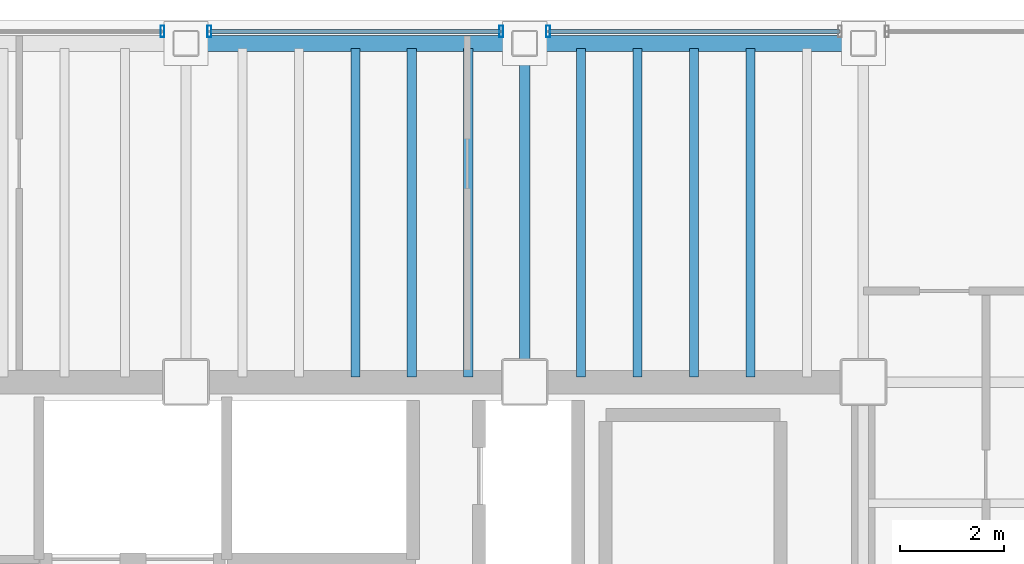
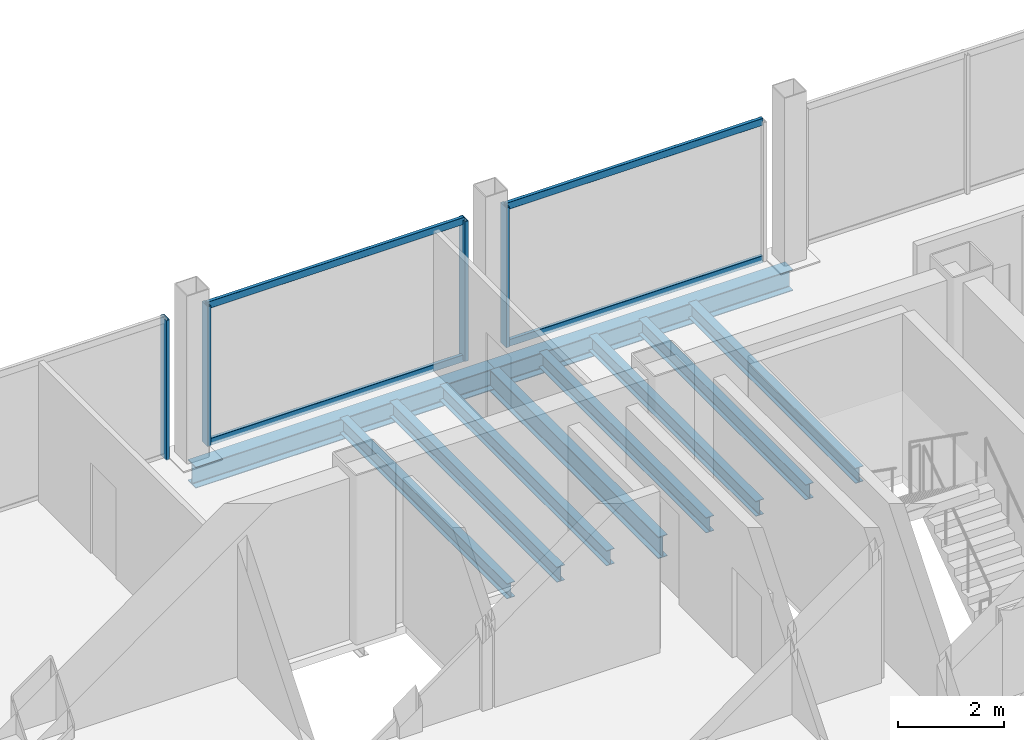
# One storey, part 9 of 16: 10 beams, 8 members, 3 elements without a shape of their own.
"""IFC4 building model written with IfcOpenShell, lengths in metres."""

from ifc_helpers import new_model, si_unit, direction, frame, origin, origin_2d, place, context, subcontext, project, spatial, hollow_rectangle, i_section, extrude, material, material_profile, profile_set, type_object, element, aggregate, save


model = new_model("IFC4")

# Units and contexts
model_context = context("Model", 3, precision=1e-05, world=origin(), true_north=direction((0.0, 1.0)))
body_context = subcontext(model_context, "Body", "Model", "MODEL_VIEW")
ifc_project = project(units=[si_unit("LENGTHUNIT", "METRE"), si_unit("AREAUNIT", "SQUARE_METRE"), si_unit("VOLUMEUNIT", "CUBIC_METRE"), si_unit("PLANEANGLEUNIT", "RADIAN"), si_unit("MASSUNIT", "GRAM", prefix="KILO")], contexts=[model_context])

# Site, building, storey
site_placement = place(None, origin())
site = spatial("IfcSite", under=ifc_project, at=site_placement, CompositionType="ELEMENT")
building_placement = place(site_placement, origin())
building = spatial("IfcBuilding", under=site, at=building_placement, Name="Noeulbin Bourse Tower", CompositionType="ELEMENT")
storey_placement = place(building_placement, frame((0.0, 0.0, 185.10009765625)))
storey = spatial("IfcBuildingStorey", under=building, at=storey_placement, Name="L46", CompositionType="ELEMENT", Elevation=185.10009765625)

# Beams
ifc_material_1 = material(Name="Steel S355", Category="steel")
ifc_material_profile_1 = material_profile(ifc_material_1, i_section(OverallWidth=0.199951171875, OverallDepth=0.5, WebThickness=0.010009765625, FlangeThickness=0.01611328125, FilletRadius=0.02001953125, at=origin_2d()), Name="H-500x200x10x16", Category="LoadBearing")
ifc_profile_set_1 = profile_set([ifc_material_profile_1], Name="Steel S355")
beam_type_1 = type_object("IfcBeamType", Name="BM-GRD-500", PredefinedType="USERDEFINED", material=ifc_profile_set_1)
beam_placement = place(storey_placement, frame((37.5, 38.300048828125, -0.43017578125), z_axis=(0.0, 1.0, 0.0), x_axis=(-1.0, 0.0, 0.0)))
element("IfcBeam", 1, at=beam_placement, inside=storey, type_object=beam_type_1, Name="Tower Primary Girder NS L46-4.4", ObjectType="GIRDER", PredefinedType="USERDEFINED", context=body_context, shape_type="SweptSolid", body=[
    extrude(i_section(OverallWidth=0.199951171875, OverallDepth=0.5, WebThickness=0.010009765625, FlangeThickness=0.01611328125, FilletRadius=0.02001953125, at=origin_2d()), origin(), (0.0, 0.0, 1.0), 6.5),
])
ifc_material_profile_2 = material_profile(ifc_material_1, i_section(OverallWidth=0.175048828125, OverallDepth=0.35009765625, WebThickness=0.007080078125, FlangeThickness=0.010986328125, FilletRadius=0.013916015625, at=origin_2d()), Name="H-350x175x7x11", Category="LoadBearing")
ifc_profile_set_2 = profile_set([ifc_material_profile_2], Name="Steel S355")
beam_type_2 = type_object("IfcBeamType", Name="BM-JST-350", PredefinedType="JOIST", material=ifc_profile_set_2)
for number, where, z_axis, x_axis, name in (
    (2, (34.25, 38.39990234375, -0.35498046875), (0.0, 1.0, 0.0), (-1.0, 0.0, 0.0), "Tower Composite Joist L46-45"),
    (3, (35.333251953125, 38.39990234375, -0.35498046875), (0.0, 1.0, 0.0), (-1.0, 0.0, 0.0), "Tower Composite Joist L46-48"),
    (4, (36.416748046875, 38.39990234375, -0.35498046875), (0.0, 1.0, 0.0), (-1.0, 0.0, 0.0), "Tower Composite Joist L46-51"),
    (5, (38.583251953125, 38.39990234375, -0.35498046875), (0.0, 1.0, 0.0), (-1.0, 0.0, 0.0), "Tower Composite Joist L46-54"),
    (6, (39.666748046875, 38.39990234375, -0.35498046875), (0.0, 1.0, 0.0), (-1.0, 0.0, 0.0), "Tower Composite Joist L46-57"),
    (7, (40.75, 38.39990234375, -0.35498046875), (0.0, 1.0, 0.0), (-1.0, 0.0, 0.0), "Tower Composite Joist L46-60"),
    (8, (41.833251953125, 38.39990234375, -0.35498046875), (0.0, 1.0, 0.0), (-1.0, 0.0, 0.0), "Tower Composite Joist L46-63"),
):
    element("IfcBeam", number, at=place(storey_placement, frame(where, z_axis=z_axis, x_axis=x_axis)), inside=storey, type_object=beam_type_2, Name=name, PredefinedType="JOIST", context=body_context, shape_type="SweptSolid", body=[
        extrude(i_section(OverallWidth=0.175048828125, OverallDepth=0.35009765625, WebThickness=0.007080078125, FlangeThickness=0.010986328125, FilletRadius=0.013916015625, at=origin_2d()), origin(), (0.0, 0.0, 1.0), 6.300048828125),
    ])
ifc_material_profile_3 = material_profile(ifc_material_1, i_section(OverallWidth=0.300048828125, OverallDepth=0.488037109375, WebThickness=0.010986328125, FlangeThickness=0.01806640625, FilletRadius=0.02197265625, at=origin_2d()), Name="H-488x300x11x18", Category="LoadBearing")
ifc_profile_set_3 = profile_set([ifc_material_profile_3], Name="Steel S355")
beam_type_3 = type_object("IfcBeamType", Name="BM-SPN-488", PredefinedType="SPANDREL", material=ifc_profile_set_3)
for number, where, z_axis, x_axis, name in (
    (9, (31.0, 44.800048828125, -0.424072265625), (1.0, 0.0, 0.0), (0.0, 1.0, 0.0), "North Spandrel L46-3"),
    (10, (37.5, 44.800048828125, -0.424072265625), (1.0, 0.0, 0.0), (0.0, 1.0, 0.0), "North Spandrel L46-4"),
):
    element("IfcBeam", number, at=place(storey_placement, frame(where, z_axis=z_axis, x_axis=x_axis)), inside=storey, type_object=beam_type_3, Name=name, PredefinedType="SPANDREL", context=body_context, shape_type="SweptSolid", body=[
        extrude(i_section(OverallWidth=0.300048828125, OverallDepth=0.488037109375, WebThickness=0.010986328125, FlangeThickness=0.01806640625, FilletRadius=0.02197265625, at=origin_2d()), origin(), (0.0, 0.0, 1.0), 6.5),
    ])

# Curtain wall, member
ifc_material_2 = material(Name="Dark Tinted Triple Glazing", Category="glass")
curtain_wall_type = type_object("IfcCurtainWallType", Name="CW-SYS-3", PredefinedType="NOTDEFINED", material=ifc_material_2)
curtain_wall_1_placement = place(storey_placement, origin())
curtain_wall_1 = element("IfcCurtainWall", 11, at=curtain_wall_1_placement, inside=storey, type_object=curtain_wall_type, Name="Unitised Curtain Wall CW-L46-N-S2", PredefinedType="NOTDEFINED")
ifc_material_3 = material(Name="Anodised Aluminium 6063-T6", Category="aluminium")
ifc_material_profile_4 = material_profile(ifc_material_3, hollow_rectangle(XDim=0.074951171875, YDim=0.219970703125, WallThickness=0.0048828125, InnerFilletRadius=0.00244140625, OuterFilletRadius=0.0048828125, at=origin_2d()), Name="ALU-MULL-75x220x5", Category="LoadBearing")
ifc_profile_set_4 = profile_set([ifc_material_profile_4], Name="Anodised Aluminium 6063-T6")
member_type_1 = type_object("IfcMemberType", Name="CW-SYS-3-MUL", PredefinedType="MULLION", material=ifc_profile_set_4)
member_1_placement = place(storey_placement, frame((30.550048828125, 45.030029296875, -0.02001953125), z_axis=(0.0, 0.0, 1.0), x_axis=(1.0, 0.0, 0.0)))
member_1 = element("IfcMember", 12, at=member_1_placement, type_object=member_type_1, Name="Curtain Wall Mullion CW-L46-N-S2-M01", PredefinedType="MULLION", context=body_context, shape_type="SweptSolid", body=[
    extrude(hollow_rectangle(XDim=0.074951171875, YDim=0.219970703125, WallThickness=0.0048828125, InnerFilletRadius=0.00244140625, OuterFilletRadius=0.0048828125, at=origin_2d()), origin(), (0.0, 0.0, 1.0), 3.219970703125),
])
aggregate(curtain_wall_1, [member_1])

# Curtain wall, members
curtain_wall_2_placement = place(storey_placement, origin())
curtain_wall_2 = element("IfcCurtainWall", 13, at=curtain_wall_2_placement, inside=storey, type_object=curtain_wall_type, Name="Unitised Curtain Wall CW-L46-N-S3", PredefinedType="NOTDEFINED")
member_2_placement = place(storey_placement, frame((31.449951171875, 45.030029296875, -0.02001953125), z_axis=(0.0, 0.0, 1.0), x_axis=(1.0, 0.0, 0.0)))
member_2 = element("IfcMember", 14, at=member_2_placement, type_object=member_type_1, Name="Curtain Wall Mullion CW-L46-N-S3-M00", PredefinedType="MULLION", context=body_context, shape_type="SweptSolid", body=[
    extrude(hollow_rectangle(XDim=0.074951171875, YDim=0.219970703125, WallThickness=0.0048828125, InnerFilletRadius=0.00244140625, OuterFilletRadius=0.0048828125, at=origin_2d()), origin(), (0.0, 0.0, 1.0), 3.219970703125),
])
member_3_placement = place(storey_placement, frame((37.050048828125, 45.030029296875, -0.02001953125), z_axis=(0.0, 0.0, 1.0), x_axis=(1.0, 0.0, 0.0)))
member_3 = element("IfcMember", 15, at=member_3_placement, type_object=member_type_1, Name="Curtain Wall Mullion CW-L46-N-S3-M01", PredefinedType="MULLION", context=body_context, shape_type="SweptSolid", body=[
    extrude(hollow_rectangle(XDim=0.074951171875, YDim=0.219970703125, WallThickness=0.0048828125, InnerFilletRadius=0.00244140625, OuterFilletRadius=0.0048828125, at=origin_2d()), origin(), (0.0, 0.0, 1.0), 3.219970703125),
])

# Curtain wall, member
curtain_wall_3_placement = place(storey_placement, origin())
curtain_wall_3 = element("IfcCurtainWall", 16, at=curtain_wall_3_placement, inside=storey, type_object=curtain_wall_type, Name="Unitised Curtain Wall CW-L46-N-S4", PredefinedType="NOTDEFINED")
member_4_placement = place(storey_placement, frame((37.949951171875, 45.030029296875, -0.02001953125), z_axis=(0.0, 0.0, 1.0), x_axis=(1.0, 0.0, 0.0)))
member_4 = element("IfcMember", 17, at=member_4_placement, type_object=member_type_1, Name="Curtain Wall Mullion CW-L46-N-S4-M00", PredefinedType="MULLION", context=body_context, shape_type="SweptSolid", body=[
    extrude(hollow_rectangle(XDim=0.074951171875, YDim=0.219970703125, WallThickness=0.0048828125, InnerFilletRadius=0.00244140625, OuterFilletRadius=0.0048828125, at=origin_2d()), origin(), (0.0, 0.0, 1.0), 3.219970703125),
])

# Member
ifc_material_profile_5 = material_profile(ifc_material_3, hollow_rectangle(XDim=0.074951171875, YDim=0.159912109375, WallThickness=0.0048828125, InnerFilletRadius=0.00244140625, OuterFilletRadius=0.0048828125, at=origin_2d()), Name="ALU-TRAN-75x160x5", Category="LoadBearing")
ifc_profile_set_5 = profile_set([ifc_material_profile_5], Name="Anodised Aluminium 6063-T6")
member_type_2 = type_object("IfcMemberType", Name="CW-SYS-3-TRN", PredefinedType="USERDEFINED", material=ifc_profile_set_5)
member_5_placement = place(storey_placement, frame((31.4599609375, 45.030029296875, 0.010009765625), z_axis=(1.0, 0.0, 0.0), x_axis=(0.0, 1.0, 0.0)))
member_5 = element("IfcMember", 18, at=member_5_placement, type_object=member_type_2, Name="Curtain Wall Transom CW-L46-N-S3-T00", ObjectType="TRANSOM", PredefinedType="USERDEFINED", context=body_context, shape_type="SweptSolid", body=[
    extrude(hollow_rectangle(XDim=0.074951171875, YDim=0.159912109375, WallThickness=0.0048828125, InnerFilletRadius=0.00244140625, OuterFilletRadius=0.0048828125, at=origin_2d()), origin(), (0.0, 0.0, 1.0), 5.580078125),
])

member_6_placement = place(storey_placement, frame((31.4599609375, 45.030029296875, 3.169921875), z_axis=(1.0, 0.0, 0.0), x_axis=(0.0, 1.0, 0.0)))
member_6 = element("IfcMember", 19, at=member_6_placement, type_object=member_type_2, Name="Curtain Wall Transom CW-L46-N-S3-T01", ObjectType="TRANSOM", PredefinedType="USERDEFINED", context=body_context, shape_type="SweptSolid", body=[
    extrude(hollow_rectangle(XDim=0.074951171875, YDim=0.159912109375, WallThickness=0.0048828125, InnerFilletRadius=0.00244140625, OuterFilletRadius=0.0048828125, at=origin_2d()), origin(), (0.0, 0.0, 1.0), 5.580078125),
])

aggregate(curtain_wall_2, [member_2, member_3, member_5, member_6])

member_7_placement = place(storey_placement, frame((37.9599609375, 45.030029296875, 0.010009765625), z_axis=(1.0, 0.0, 0.0), x_axis=(0.0, 1.0, 0.0)))
member_7 = element("IfcMember", 20, at=member_7_placement, type_object=member_type_2, Name="Curtain Wall Transom CW-L46-N-S4-T00", ObjectType="TRANSOM", PredefinedType="USERDEFINED", context=body_context, shape_type="SweptSolid", body=[
    extrude(hollow_rectangle(XDim=0.074951171875, YDim=0.159912109375, WallThickness=0.0048828125, InnerFilletRadius=0.00244140625, OuterFilletRadius=0.0048828125, at=origin_2d()), origin(), (0.0, 0.0, 1.0), 5.580078125),
])

member_8_placement = place(storey_placement, frame((37.9599609375, 45.030029296875, 3.169921875), z_axis=(1.0, 0.0, 0.0), x_axis=(0.0, 1.0, 0.0)))
member_8 = element("IfcMember", 21, at=member_8_placement, type_object=member_type_2, Name="Curtain Wall Transom CW-L46-N-S4-T01", ObjectType="TRANSOM", PredefinedType="USERDEFINED", context=body_context, shape_type="SweptSolid", body=[
    extrude(hollow_rectangle(XDim=0.074951171875, YDim=0.159912109375, WallThickness=0.0048828125, InnerFilletRadius=0.00244140625, OuterFilletRadius=0.0048828125, at=origin_2d()), origin(), (0.0, 0.0, 1.0), 5.580078125),
])

aggregate(curtain_wall_3, [member_4, member_7, member_8])

save(model, "model.ifc")
